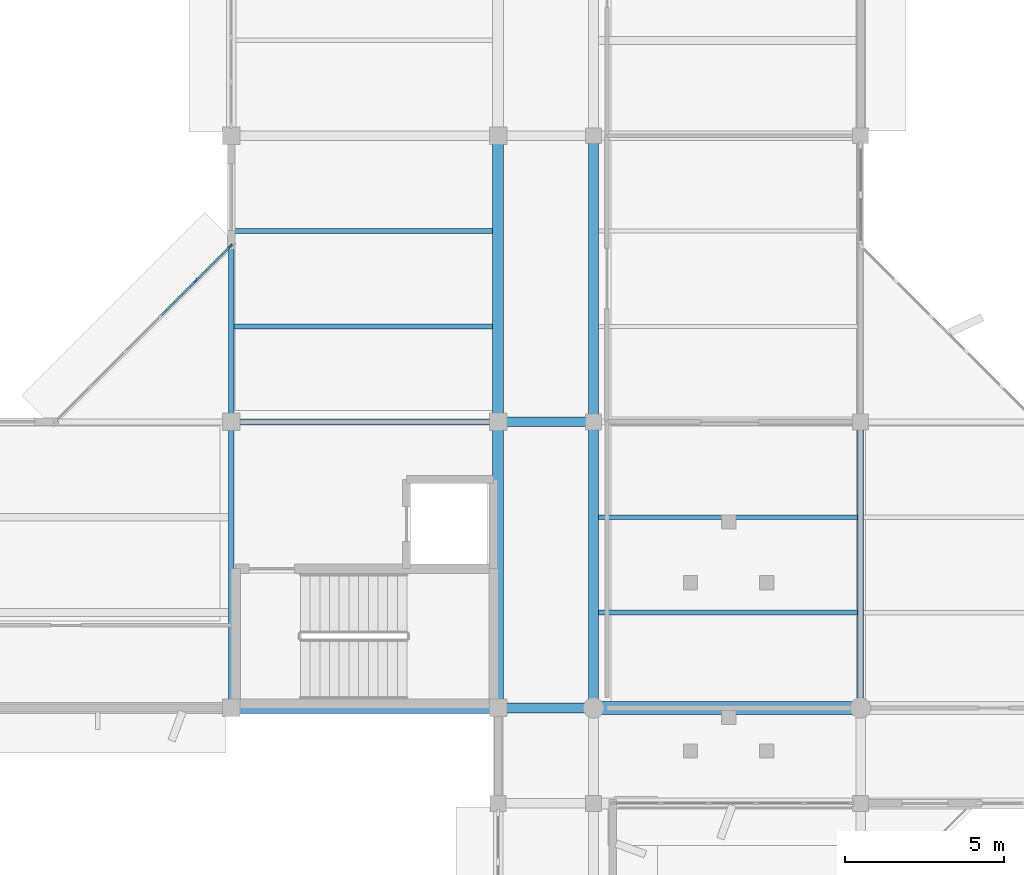
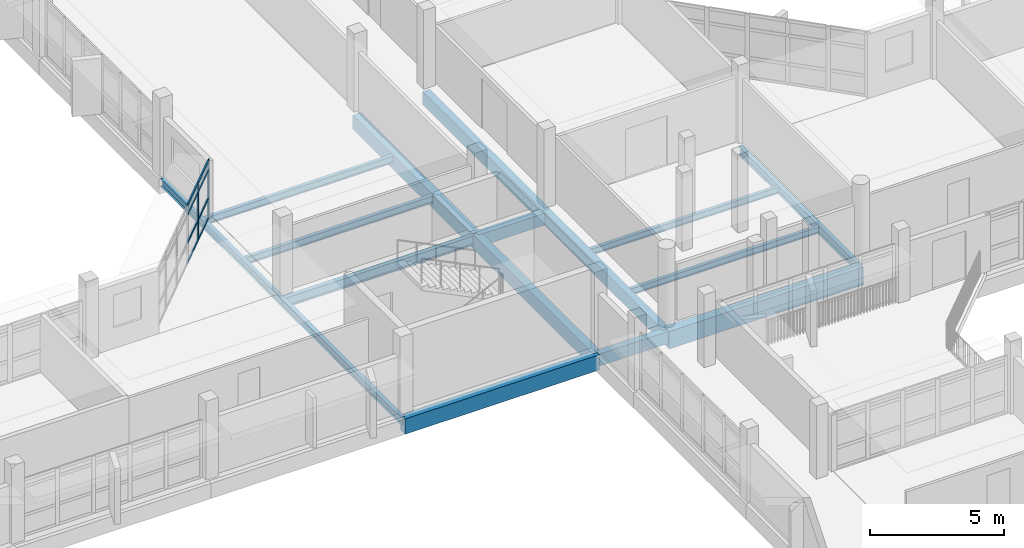
# One storey, part 21 of 92: 16 beams, 10 members, 1 element without a shape of its own.
"""IFC4 building model written with IfcOpenShell, lengths in metres."""

import ifcopenshell
import ifcopenshell.guid

model = None  # the IFC model being written
_history = None  # IfcOwnerHistory: only IFC2X3 demands one
_inside = {}  # id of a spatial element -> (the spatial element, [elements in it])
_under = {}  # id of a project, library or spatial element -> (it, [spatial elements below it])
_declared = {}  # id of a project -> (the project, [libraries it declares])
_typed = {}  # id of a type object -> (the type object, [elements of that type])
_made_of = {}  # id of a material, layer set ... -> (it, [elements and type objects made of it])


def new_model(schema):
    """Start an empty IFC model of exactly this schema.

    Asked for "IFC4X3", IfcOpenShell would pick the latest addendum, in which some entities
    have other attributes; the version numbers below select the first issue.
    IFC2X3 requires an IfcOwnerHistory on every rooted entity: one is made here for all.
    """
    global model, _history
    if schema == "IFC4X3":
        model = ifcopenshell.file(schema_version=(4, 3, 0, 0))
    else:
        model = ifcopenshell.file(schema=schema)
    _inside.clear()
    _under.clear()
    _declared.clear()
    _typed.clear()
    _made_of.clear()
    _history = None
    if model.schema == "IFC2X3":
        org = make("IfcOrganization", Name="unknown")
        user = make(
            "IfcPersonAndOrganization",
            ThePerson=make("IfcPerson", FamilyName="unknown"),
            TheOrganization=org,
        )
        app = make(
            "IfcApplication",
            ApplicationDeveloper=org,
            Version="unknown",
            ApplicationFullName="unknown",
            ApplicationIdentifier="unknown",
        )
        _history = make(
            "IfcOwnerHistory",
            OwningUser=user,
            OwningApplication=app,
            ChangeAction="ADDED",
            CreationDate=0,
        )
    return model


def make(cls, **values):
    """One entity of the class cls with the attributes given. An attribute that is None is left unset."""
    return model.create_entity(
        cls, **{name: value for name, value in values.items() if value is not None}
    )


def rooted(cls, **values):
    """An entity with a GlobalId (a new one), such as an element, a storey or a relation."""
    return make(cls, GlobalId=ifcopenshell.guid.new(), OwnerHistory=_history, **values)


def si_unit(unit_type, name, prefix=None):
    """IfcSIUnit, for example si_unit("LENGTHUNIT", "METRE", prefix="MILLI")."""
    return make("IfcSIUnit", UnitType=unit_type, Prefix=prefix, Name=name)


def assignment(units):
    """IfcUnitAssignment: the units of a project."""
    return None if units is None else make("IfcUnitAssignment", Units=units)


def point(xyz):
    """IfcCartesianPoint."""
    return None if xyz is None else make("IfcCartesianPoint", Coordinates=xyz)


def direction(xyz):
    """IfcDirection."""
    return None if xyz is None else make("IfcDirection", DirectionRatios=xyz)


def frame(location, z_axis=None, x_axis=None):
    """IfcAxis2Placement3D, a coordinate frame: its origin and axes. An axis left out is left unset."""
    return make(
        "IfcAxis2Placement3D",
        Location=point(location),
        Axis=direction(z_axis),
        RefDirection=direction(x_axis),
    )


def frame_2d(location, x_axis=None):
    """IfcAxis2Placement2D, a coordinate frame in the plane: its origin and x axis."""
    return make(
        "IfcAxis2Placement2D", Location=point(location), RefDirection=direction(x_axis)
    )


def origin():
    """The frame at (0, 0, 0) with its axes left unset."""
    return frame((0.0, 0.0, 0.0))


def origin_2d():
    """The frame at (0, 0) in the plane with its x axis left unset."""
    return frame_2d((0.0, 0.0))


def place(relative_to, where):
    """IfcLocalPlacement: puts the frame where relative to a parent placement (None: the world)."""
    return make(
        "IfcLocalPlacement", PlacementRelTo=relative_to, RelativePlacement=where
    )


def context(
    kind, dimensions, precision=None, world=None, true_north=None, identifier=None
):
    """IfcGeometricRepresentationContext, for example the 3D "Model" context."""
    return make(
        "IfcGeometricRepresentationContext",
        ContextIdentifier=identifier,
        ContextType=kind,
        CoordinateSpaceDimension=dimensions,
        Precision=precision,
        WorldCoordinateSystem=world,
        TrueNorth=true_north,
    )


def subcontext(parent, identifier, kind, view, scale=None):
    """IfcGeometricRepresentationSubContext, for example "Body" below "Model"."""
    return make(
        "IfcGeometricRepresentationSubContext",
        ContextIdentifier=identifier,
        ContextType=kind,
        ParentContext=parent,
        TargetScale=scale,
        TargetView=view,
    )


def project(units=None, contexts=None):
    """IfcProject with its units and contexts."""
    return rooted(
        "IfcProject",
        Name="project",
        RepresentationContexts=contexts,
        UnitsInContext=assignment(units),
    )


def spatial(cls, under=None, at=None, **own):
    """A site, building, storey or space (cls), placed at a placement, below another one or the project."""
    s = rooted(cls, ObjectPlacement=at, **own)
    if under is not None:
        _under.setdefault(under.id(), (under, []))[1].append(s)
    return s


def profile(cls, at=None, kind="AREA", **sizes):
    """A parametric profile (cls). Its sizes go by their IFC names, for example OverallWidth=200.0."""
    return make(cls, ProfileType=kind, Position=at, **sizes)


def rectangle(**sizes):
    """IfcRectangleProfileDef."""
    return profile("IfcRectangleProfileDef", **sizes)


def i_section(**sizes):
    """IfcIShapeProfileDef."""
    return profile("IfcIShapeProfileDef", **sizes)


def extrude(swept, where, along, depth):
    """IfcExtrudedAreaSolid: the profile swept, set in the frame where, extruded along a direction by depth."""
    return make(
        "IfcExtrudedAreaSolid",
        SweptArea=swept,
        Position=where,
        ExtrudedDirection=direction(along),
        Depth=depth,
    )


def shape(context_of_items, identifier, shape_type, items):
    """IfcShapeRepresentation: the items that make up one representation, for example the "Body"."""
    return make(
        "IfcShapeRepresentation",
        ContextOfItems=context_of_items,
        RepresentationIdentifier=identifier,
        RepresentationType=shape_type,
        Items=items,
    )


def material(Name=None, Category=None):
    """IfcMaterial."""
    return make("IfcMaterial", Name=Name, Category=Category)


def material_profile(
    of_material, cross_section, Name=None, Category=None, Priority=None
):
    """IfcMaterialProfile: a cross section and its material."""
    return make(
        "IfcMaterialProfile",
        Name=Name,
        Material=of_material,
        Profile=cross_section,
        Priority=Priority,
        Category=Category,
    )


def profile_set(profiles, Name=None, composite=None):
    """IfcMaterialProfileSet."""
    return make(
        "IfcMaterialProfileSet",
        Name=Name,
        MaterialProfiles=profiles,
        CompositeProfile=composite,
    )


def made_of(thing, what):
    """Note that an element or type object is made of a material, layer set ...; save() writes the relation."""
    if what is not None:
        _made_of.setdefault(what.id(), (what, []))[1].append(thing)
    return thing


def type_object(cls, material=None, **own):
    """A type object (cls), such as IfcWallType, which elements share."""
    return made_of(rooted(cls, **own), material)


def element(
    cls,
    number,
    at=None,
    inside=None,
    cuts=None,
    type_object=None,
    material=None,
    context=None,
    identifier="Body",
    shape_type=None,
    held_by="IfcProductDefinitionShape",
    body=None,
    shapes=None,
    **own,
):
    """One element of the class cls, such as IfcWall. Its Tag is "e" and its number.

    at: its placement. inside: the storey or other place that contains it. cuts: it is an
    opening in that element (IfcRelVoidsElement). A single representation is given by context,
    identifier, shape_type and body (its items); several are given by shapes. held_by: the class
    of the entity that holds the representations. save() writes the other relations.
    """
    e = rooted(cls, Tag="e%d" % number, ObjectPlacement=at, **own)
    if body is not None:
        shapes = [shape(context, identifier, shape_type, body)]
    if shapes is not None:
        e.Representation = make(held_by, Representations=shapes)
    if inside is not None:
        _inside.setdefault(inside.id(), (inside, []))[1].append(e)
    if cuts is not None:
        rooted(
            "IfcRelVoidsElement", RelatingBuildingElement=cuts, RelatedOpeningElement=e
        )
    if type_object is not None:
        _typed.setdefault(type_object.id(), (type_object, []))[1].append(e)
    return made_of(e, material)


def aggregate(whole, parts):
    """IfcRelAggregates: a whole, such as a stair, and the parts it consists of."""
    return rooted("IfcRelAggregates", RelatingObject=whole, RelatedObjects=parts)


def save(model, path):
    """Write the relations noted so far, then the file.

    IfcRelAggregates (storeys below a building ...), IfcRelContainedInSpatialStructure (elements
    in a storey), IfcRelDefinesByType, IfcRelAssociatesMaterial and IfcRelDeclares: one each for
    every whole, place, type object, material and project.
    """
    for whole, parts in _under.values():
        aggregate(whole, parts)
    for where, things in _inside.values():
        rooted(
            "IfcRelContainedInSpatialStructure",
            RelatedElements=things,
            RelatingStructure=where,
        )
    for kind, things in _typed.values():
        rooted("IfcRelDefinesByType", RelatedObjects=things, RelatingType=kind)
    for what, things in _made_of.values():
        rooted("IfcRelAssociatesMaterial", RelatedObjects=things, RelatingMaterial=what)
    for by, libraries in _declared.values():
        rooted("IfcRelDeclares", RelatingContext=by, RelatedDefinitions=libraries)
    model.write(path)


model = new_model("IFC4")

# Units and contexts
model_context = context("Model", 3, precision=1e-05, world=origin(), true_north=direction((0.0, 1.0)))
body_context = subcontext(model_context, "Body", "Model", "MODEL_VIEW")
ifc_project = project(units=[si_unit("LENGTHUNIT", "METRE"), si_unit("AREAUNIT", "SQUARE_METRE"), si_unit("VOLUMEUNIT", "CUBIC_METRE"), si_unit("PLANEANGLEUNIT", "RADIAN"), si_unit("MASSUNIT", "GRAM", prefix="KILO")], contexts=[model_context])

# Site, building, storey
site_placement = place(None, origin())
site = spatial("IfcSite", under=ifc_project, at=site_placement, CompositionType="ELEMENT")
building_placement = place(site_placement, origin())
building = spatial("IfcBuilding", under=site, at=building_placement, Name="Vanh Quang Courtyard School", CompositionType="ELEMENT")
storey_placement = place(building_placement, frame((0.0, 0.0, 7.800048828125)))
storey = spatial("IfcBuildingStorey", under=building, at=storey_placement, Name="L02", CompositionType="ELEMENT", Elevation=7.800048828125)

# Beams
ifc_material_1 = material(Name="Concrete C35/45", Category="concrete")
ifc_material_profile_1 = material_profile(ifc_material_1, rectangle(XDim=0.300048828125, YDim=0.550048828125, at=origin_2d()), Name="RC-BM 300x550")
ifc_profile_set_1 = profile_set([ifc_material_profile_1], Name="Concrete C35/45")
beam_type_1 = type_object("IfcBeamType", Name="BM-RC-300x550", PredefinedType="BEAM", material=ifc_profile_set_1)
for number, where, z_axis, x_axis, name in (
    (1, (74.39990234375, 32.39990234375, -0.574951171875), (1.0, 0.0, 0.0), (0.0, 1.0, 0.0), "Beam B-07 (L02)"),
    (2, (74.39990234375, 41.39990234375, -0.574951171875), (1.0, 0.0, 0.0), (0.0, 1.0, 0.0), "Beam B-07 (L02)"),
):
    element("IfcBeam", number, at=place(storey_placement, frame(where, z_axis=z_axis, x_axis=x_axis)), inside=storey, type_object=beam_type_1, Name=name, PredefinedType="BEAM", context=body_context, shape_type="SweptSolid", body=[
        extrude(rectangle(XDim=0.300048828125, YDim=0.550048828125, at=origin_2d()), origin(), (0.0, 0.0, 1.0), 3.0),
    ])
ifc_material_profile_2 = material_profile(ifc_material_1, rectangle(XDim=0.300048828125, YDim=0.60009765625, at=origin_2d()), Name="RC-BM 300x600")
ifc_profile_set_2 = profile_set([ifc_material_profile_2], Name="Concrete C35/45")
beam_type_2 = type_object("IfcBeamType", Name="BM-RC-300x600", PredefinedType="BEAM", material=ifc_profile_set_2)
for number, where, z_axis, x_axis, name in (
    (3, (77.39990234375, 32.39990234375, -0.580078125), (0.0, 1.0, 0.0), (-1.0, 0.0, 0.0), "Beam B-06 (L02)"),
    (4, (77.39990234375, 41.39990234375, -0.580078125), (0.0, 1.0, 0.0), (-1.0, 0.0, 0.0), "Beam B-06 (L02)"),
):
    element("IfcBeam", number, at=place(storey_placement, frame(where, z_axis=z_axis, x_axis=x_axis)), inside=storey, type_object=beam_type_2, Name=name, PredefinedType="BEAM", context=body_context, shape_type="SweptSolid", body=[
        extrude(rectangle(XDim=0.300048828125, YDim=0.60009765625, at=origin_2d()), origin(), (0.0, 0.0, 1.0), 9.0),
    ])
ifc_material_profile_3 = material_profile(ifc_material_1, rectangle(XDim=0.35009765625, YDim=0.64990234375, at=origin_2d()), Name="RC-BM 350x650")
ifc_profile_set_3 = profile_set([ifc_material_profile_3], Name="Concrete C35/45")
beam_type_3 = type_object("IfcBeamType", Name="BM-RC-350x650", PredefinedType="BEAM", material=ifc_profile_set_3)
for number, where, z_axis, x_axis, name in (
    (5, (74.39990234375, 32.39990234375, -0.625), (0.0, 1.0, 0.0), (-1.0, 0.0, 0.0), "Beam B-05 (L02)"),
    (6, (74.39990234375, 41.39990234375, -0.625), (0.0, 1.0, 0.0), (-1.0, 0.0, 0.0), "Beam B-05 (L02)"),
):
    element("IfcBeam", number, at=place(storey_placement, frame(where, z_axis=z_axis, x_axis=x_axis)), inside=storey, type_object=beam_type_3, Name=name, PredefinedType="BEAM", context=body_context, shape_type="SweptSolid", body=[
        extrude(rectangle(XDim=0.35009765625, YDim=0.64990234375, at=origin_2d()), origin(), (0.0, 0.0, 1.0), 9.0),
    ])
ifc_material_profile_4 = material_profile(ifc_material_1, rectangle(XDim=0.35009765625, YDim=0.699951171875, at=origin_2d()), Name="RC-BM 350x700")
ifc_profile_set_4 = profile_set([ifc_material_profile_4], Name="Concrete C35/45")
beam_type_4 = type_object("IfcBeamType", Name="BM-RC-350x700", PredefinedType="BEAM", material=ifc_profile_set_4)
beam_1_placement = place(storey_placement, frame((66.0, 32.39990234375, -0.650146484375), z_axis=(1.0, 0.0, 0.0), x_axis=(0.0, 1.0, 0.0)))
element("IfcBeam", 7, at=beam_1_placement, inside=storey, type_object=beam_type_4, Name="Beam B-04 (L02)", PredefinedType="BEAM", context=body_context, shape_type="SweptSolid", body=[
    extrude(rectangle(XDim=0.35009765625, YDim=0.699951171875, at=origin_2d()), origin(), (0.0, 0.0, 1.0), 8.39990234375),
])
ifc_material_profile_5 = material_profile(ifc_material_1, rectangle(XDim=0.39990234375, YDim=0.800048828125, at=origin_2d()), Name="RC-BM 400x800")
ifc_profile_set_5 = profile_set([ifc_material_profile_5], Name="Concrete C35/45")
beam_type_5 = type_object("IfcBeamType", Name="BM-RC-400x800", PredefinedType="BEAM", material=ifc_profile_set_5)
beam_2_placement = place(storey_placement, frame((77.39990234375, 32.39990234375, -0.679931640625), z_axis=(1.0, 0.0, 0.0), x_axis=(0.0, 1.0, 0.0)))
element("IfcBeam", 8, at=beam_2_placement, inside=storey, type_object=beam_type_5, Name="Beam B-02 (L02)", PredefinedType="BEAM", context=body_context, shape_type="SweptSolid", body=[
    extrude(rectangle(XDim=0.39990234375, YDim=0.800048828125, at=origin_2d()), origin(), (0.0, 0.0, 1.0), 8.400146484375),
])
ifc_material_2 = material(Name="Structural steel EN 10025-2 S355J2", Category="steel")
ifc_material_profile_6 = material_profile(ifc_material_2, i_section(OverallWidth=0.169921875, OverallDepth=0.360107421875, WebThickness=0.008056640625, FlangeThickness=0.0126953125, FilletRadius=0.01806640625, at=origin_2d()), Name="IPE 360")
ifc_profile_set_6 = profile_set([ifc_material_profile_6], Name="Structural steel EN 10025-2 S355J2")
beam_type_6 = type_object("IfcBeamType", Name="BM-STL-IPE360", PredefinedType="BEAM", material=ifc_profile_set_6)
for number, where, z_axis, x_axis, name in (
    (9, (66.0, 32.39990234375, -0.47998046875), (0.0, 1.0, 0.0), (-1.0, 0.0, 0.0), "Beam SB-06 (L02)"),
    (10, (66.0, 41.39990234375, -0.47998046875), (0.0, 1.0, 0.0), (-1.0, 0.0, 0.0), "Beam SB-06 (L02)"),
):
    element("IfcBeam", number, at=place(storey_placement, frame(where, z_axis=z_axis, x_axis=x_axis)), inside=storey, type_object=beam_type_6, Name=name, PredefinedType="BEAM", context=body_context, shape_type="SweptSolid", body=[
        extrude(i_section(OverallWidth=0.169921875, OverallDepth=0.360107421875, WebThickness=0.008056640625, FlangeThickness=0.0126953125, FilletRadius=0.01806640625, at=origin_2d()), origin(), (0.0, 0.0, 1.0), 9.0),
    ])
ifc_material_profile_7 = material_profile(ifc_material_2, i_section(OverallWidth=0.179931640625, OverallDepth=0.39990234375, WebThickness=0.008544921875, FlangeThickness=0.013427734375, FilletRadius=0.02099609375, at=origin_2d()), Name="IPE 400")
ifc_profile_set_7 = profile_set([ifc_material_profile_7], Name="Structural steel EN 10025-2 S355J2")
beam_type_7 = type_object("IfcBeamType", Name="BM-STL-IPE400", PredefinedType="BEAM", material=ifc_profile_set_7)
beam_3_placement = place(storey_placement, frame((85.800048828125, 32.39990234375, -0.47998046875), z_axis=(0.0, 1.0, 0.0), x_axis=(-1.0, 0.0, 0.0)))
element("IfcBeam", 11, at=beam_3_placement, inside=storey, type_object=beam_type_7, Name="Beam SB-05 (L02)", PredefinedType="BEAM", context=body_context, shape_type="SweptSolid", body=[
    extrude(i_section(OverallWidth=0.179931640625, OverallDepth=0.39990234375, WebThickness=0.008544921875, FlangeThickness=0.013427734375, FilletRadius=0.02099609375, at=origin_2d()), origin(), (0.0, 0.0, 1.0), 9.0),
])
ifc_material_profile_8 = material_profile(ifc_material_2, i_section(OverallWidth=0.18994140625, OverallDepth=0.449951171875, WebThickness=0.009521484375, FlangeThickness=0.0146484375, FilletRadius=0.02099609375, at=origin_2d()), Name="IPE 450")
ifc_profile_set_8 = profile_set([ifc_material_profile_8], Name="Structural steel EN 10025-2 S355J2")
beam_type_8 = type_object("IfcBeamType", Name="BM-STL-IPE450", PredefinedType="BEAM", material=ifc_profile_set_8)
beam_4_placement = place(storey_placement, frame((66.0, 41.39990234375, -0.525146484375), z_axis=(1.0, 0.0, 0.0), x_axis=(0.0, 1.0, 0.0)))
element("IfcBeam", 12, at=beam_4_placement, inside=storey, type_object=beam_type_8, Name="Beam SB-04 (L02)", PredefinedType="BEAM", context=body_context, shape_type="SweptSolid", body=[
    extrude(i_section(OverallWidth=0.18994140625, OverallDepth=0.449951171875, WebThickness=0.009521484375, FlangeThickness=0.0146484375, FilletRadius=0.02099609375, at=origin_2d()), origin(), (0.0, 0.0, 1.0), 8.39990234375),
])

# Curtain wall, members
ifc_material_3 = material(Name="Thermally broken aluminium unitised curtain wall", Category="aluminium")
curtain_wall_type = type_object("IfcCurtainWallType", Name="CW-SYS-24", PredefinedType="NOTDEFINED", material=ifc_material_3)
curtain_wall_placement = place(storey_placement, origin())
curtain_wall = element("IfcCurtainWall", 13, at=curtain_wall_placement, inside=storey, type_object=curtain_wall_type, Name="Curtain Wall CW-24 (L02)", PredefinedType="NOTDEFINED")
ifc_material_4 = material(Name="Anodised aluminium 6063-T6", Category="aluminium")
ifc_material_profile_9 = material_profile(ifc_material_4, rectangle(XDim=0.06005859375, YDim=0.159912109375, at=origin_2d()), Name="ALU-MUL 60x160")
ifc_profile_set_9 = profile_set([ifc_material_profile_9], Name="Anodised aluminium 6063-T6")
member_type_1 = type_object("IfcMemberType", Name="CW-MUL-60x160", PredefinedType="MULLION", material=ifc_profile_set_9)
member_1_placement = place(storey_placement, frame((64.89111328125, 45.835205078125, 0.0), z_axis=(0.0, 0.0, 1.0), x_axis=(-0.707106781187, 0.707106781187, 0.0)))
member_1 = element("IfcMember", 14, at=member_1_placement, type_object=member_type_1, Name="CW-24 mullion 5", PredefinedType="MULLION", context=body_context, shape_type="SweptSolid", body=[
    extrude(rectangle(XDim=0.06005859375, YDim=0.159912109375, at=origin_2d()), origin(), (0.0, 0.0, 1.0), 2.64990234375),
])
member_2_placement = place(storey_placement, frame((65.978759765625, 46.9228515625, 0.0), z_axis=(0.0, 0.0, 1.0), x_axis=(-0.707106781187, 0.707106781187, 0.0)))
member_2 = element("IfcMember", 15, at=member_2_placement, type_object=member_type_1, Name="CW-24 mullion 6", PredefinedType="MULLION", context=body_context, shape_type="SweptSolid", body=[
    extrude(rectangle(XDim=0.06005859375, YDim=0.159912109375, at=origin_2d()), origin(), (0.0, 0.0, 1.0), 2.64990234375),
])
ifc_material_profile_10 = material_profile(ifc_material_4, rectangle(XDim=0.06005859375, YDim=0.1201171875, at=origin_2d()), Name="ALU-TRN 60x120")
ifc_profile_set_10 = profile_set([ifc_material_profile_10], Name="Anodised aluminium 6063-T6")
member_type_2 = type_object("IfcMemberType", Name="CW-TRN-60x120", PredefinedType="USERDEFINED", material=ifc_profile_set_10)
member_3_placement = place(storey_placement, frame((63.8037109375, 44.74755859375, 0.030029296875), z_axis=(0.707025825577, 0.707187727529, 0.0), x_axis=(-0.707187727529, 0.707025825577, 0.0)))
member_3 = element("IfcMember", 16, at=member_3_placement, type_object=member_type_2, Name="CW-24 transom 4.1", ObjectType="TRANSOM", PredefinedType="USERDEFINED", context=body_context, shape_type="SweptSolid", body=[
    extrude(rectangle(XDim=0.06005859375, YDim=0.1201171875, at=origin_2d()), origin(), (0.0, 0.0, 1.0), 1.508056640625),
])
member_4_placement = place(storey_placement, frame((63.8037109375, 44.74755859375, 0.949951171875), z_axis=(0.707025825577, 0.707187727529, 0.0), x_axis=(-0.707187727529, 0.707025825577, 0.0)))
member_4 = element("IfcMember", 17, at=member_4_placement, type_object=member_type_2, Name="CW-24 transom 4.2", ObjectType="TRANSOM", PredefinedType="USERDEFINED", context=body_context, shape_type="SweptSolid", body=[
    extrude(rectangle(XDim=0.06005859375, YDim=0.1201171875, at=origin_2d()), origin(), (0.0, 0.0, 1.0), 1.508056640625),
])
member_5_placement = place(storey_placement, frame((63.8037109375, 44.74755859375, 2.25), z_axis=(0.707025825577, 0.707187727529, 0.0), x_axis=(-0.707187727529, 0.707025825577, 0.0)))
member_5 = element("IfcMember", 18, at=member_5_placement, type_object=member_type_2, Name="CW-24 transom 4.3", ObjectType="TRANSOM", PredefinedType="USERDEFINED", context=body_context, shape_type="SweptSolid", body=[
    extrude(rectangle(XDim=0.06005859375, YDim=0.1201171875, at=origin_2d()), origin(), (0.0, 0.0, 1.0), 1.508056640625),
])
member_6_placement = place(storey_placement, frame((63.8037109375, 44.74755859375, 2.619873046875), z_axis=(0.707025825577, 0.707187727529, 0.0), x_axis=(-0.707187727529, 0.707025825577, 0.0)))
member_6 = element("IfcMember", 19, at=member_6_placement, type_object=member_type_2, Name="CW-24 transom 4.4", ObjectType="TRANSOM", PredefinedType="USERDEFINED", context=body_context, shape_type="SweptSolid", body=[
    extrude(rectangle(XDim=0.06005859375, YDim=0.1201171875, at=origin_2d()), origin(), (0.0, 0.0, 1.0), 1.508056640625),
])
member_7_placement = place(storey_placement, frame((64.912353515625, 45.8564453125, 0.030029296875), z_axis=(0.707106781187, 0.707106781187, 0.0), x_axis=(-0.707106781187, 0.707106781187, 0.0)))
member_7 = element("IfcMember", 20, at=member_7_placement, type_object=member_type_2, Name="CW-24 transom 5.1", ObjectType="TRANSOM", PredefinedType="USERDEFINED", context=body_context, shape_type="SweptSolid", body=[
    extrude(rectangle(XDim=0.06005859375, YDim=0.1201171875, at=origin_2d()), origin(), (0.0, 0.0, 1.0), 1.47802734375),
])
member_8_placement = place(storey_placement, frame((64.912353515625, 45.8564453125, 0.949951171875), z_axis=(0.707106781187, 0.707106781187, 0.0), x_axis=(-0.707106781187, 0.707106781187, 0.0)))
member_8 = element("IfcMember", 21, at=member_8_placement, type_object=member_type_2, Name="CW-24 transom 5.2", ObjectType="TRANSOM", PredefinedType="USERDEFINED", context=body_context, shape_type="SweptSolid", body=[
    extrude(rectangle(XDim=0.06005859375, YDim=0.1201171875, at=origin_2d()), origin(), (0.0, 0.0, 1.0), 1.47802734375),
])
member_9_placement = place(storey_placement, frame((64.912353515625, 45.8564453125, 2.25), z_axis=(0.707106781187, 0.707106781187, 0.0), x_axis=(-0.707106781187, 0.707106781187, 0.0)))
member_9 = element("IfcMember", 22, at=member_9_placement, type_object=member_type_2, Name="CW-24 transom 5.3", ObjectType="TRANSOM", PredefinedType="USERDEFINED", context=body_context, shape_type="SweptSolid", body=[
    extrude(rectangle(XDim=0.06005859375, YDim=0.1201171875, at=origin_2d()), origin(), (0.0, 0.0, 1.0), 1.47802734375),
])
member_10_placement = place(storey_placement, frame((64.912353515625, 45.8564453125, 2.619873046875), z_axis=(0.707106781187, 0.707106781187, 0.0), x_axis=(-0.707106781187, 0.707106781187, 0.0)))
member_10 = element("IfcMember", 23, at=member_10_placement, type_object=member_type_2, Name="CW-24 transom 5.4", ObjectType="TRANSOM", PredefinedType="USERDEFINED", context=body_context, shape_type="SweptSolid", body=[
    extrude(rectangle(XDim=0.06005859375, YDim=0.1201171875, at=origin_2d()), origin(), (0.0, 0.0, 1.0), 1.47802734375),
])
aggregate(curtain_wall, [member_1, member_2, member_3, member_4, member_5, member_6, member_7, member_8, member_9, member_10])

# Beams
ifc_material_profile_11 = material_profile(ifc_material_2, i_section(OverallWidth=0.14990234375, OverallDepth=0.300048828125, WebThickness=0.007080078125, FlangeThickness=0.0107421875, FilletRadius=0.014892578125, at=origin_2d()), Name="IPE 300")
ifc_profile_set_11 = profile_set([ifc_material_profile_11], Name="Structural steel EN 10025-2 S355J2")
beam_type_9 = type_object("IfcBeamType", Name="JST-STL-IPE300", PredefinedType="JOIST", material=ifc_profile_set_11)
for number, where, z_axis, x_axis, name in (
    (24, (77.550048828125, 35.39990234375, -0.429931640625), (1.0, 0.0, 0.0), (0.0, 1.0, 0.0), "Beam SJ-02 (L02)"),
    (25, (77.550048828125, 38.39990234375, -0.429931640625), (1.0, 0.0, 0.0), (0.0, 1.0, 0.0), "Beam SJ-02 (L02)"),
):
    element("IfcBeam", number, at=place(storey_placement, frame(where, z_axis=z_axis, x_axis=x_axis)), inside=storey, type_object=beam_type_9, Name=name, PredefinedType="JOIST", context=body_context, shape_type="SweptSolid", body=[
        extrude(i_section(OverallWidth=0.14990234375, OverallDepth=0.300048828125, WebThickness=0.007080078125, FlangeThickness=0.0107421875, FilletRadius=0.014892578125, at=origin_2d()), origin(), (0.0, 0.0, 1.0), 8.159912109375),
    ])
ifc_material_profile_12 = material_profile(ifc_material_2, i_section(OverallWidth=0.159912109375, OverallDepth=0.330078125, WebThickness=0.007568359375, FlangeThickness=0.011474609375, FilletRadius=0.01806640625, at=origin_2d()), Name="IPE 330")
ifc_profile_set_12 = profile_set([ifc_material_profile_12], Name="Structural steel EN 10025-2 S355J2")
beam_type_10 = type_object("IfcBeamType", Name="JST-STL-IPE330", PredefinedType="JOIST", material=ifc_profile_set_12)
for number, where, z_axis, x_axis, name in (
    (26, (66.0849609375, 44.39990234375, -0.465087890625), (1.0, 0.0, 0.0), (0.0, 1.0, 0.0), "Beam SJ-01 (L02)"),
    (27, (66.0849609375, 47.39990234375, -0.465087890625), (1.0, 0.0, 0.0), (0.0, 1.0, 0.0), "Beam SJ-01 (L02)"),
):
    element("IfcBeam", number, at=place(storey_placement, frame(where, z_axis=z_axis, x_axis=x_axis)), inside=storey, type_object=beam_type_10, Name=name, PredefinedType="JOIST", context=body_context, shape_type="SweptSolid", body=[
        extrude(i_section(OverallWidth=0.159912109375, OverallDepth=0.330078125, WebThickness=0.007568359375, FlangeThickness=0.011474609375, FilletRadius=0.01806640625, at=origin_2d()), origin(), (0.0, 0.0, 1.0), 8.14013671875),
    ])

save(model, "model.ifc")
